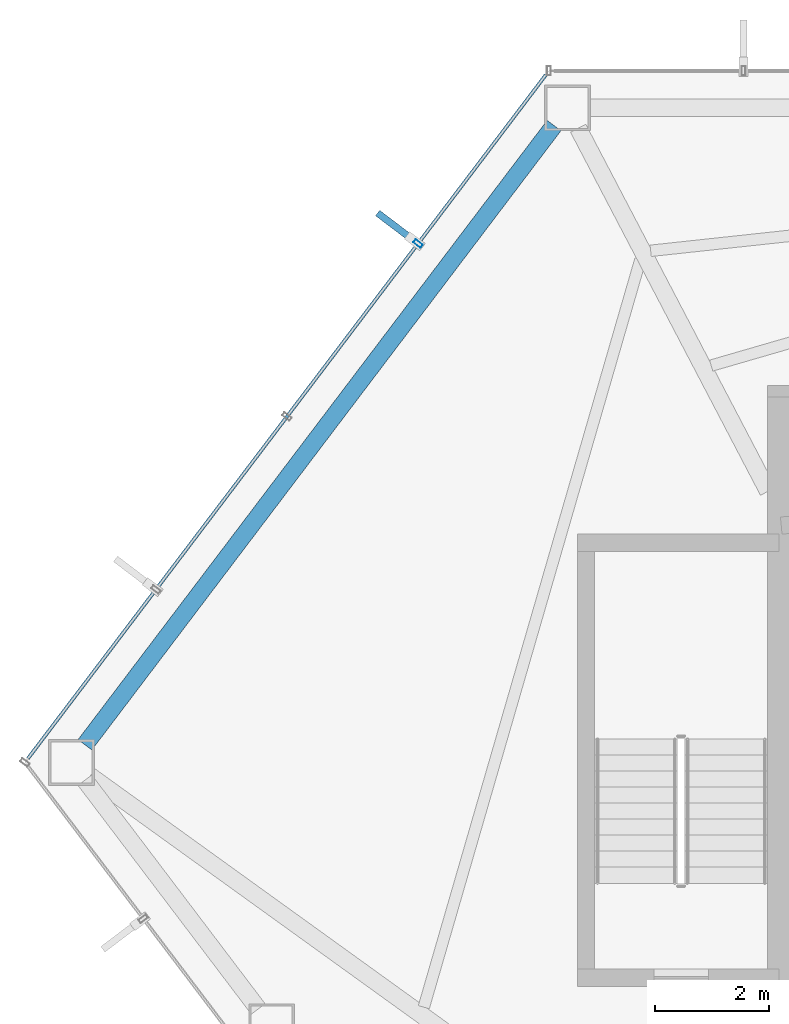
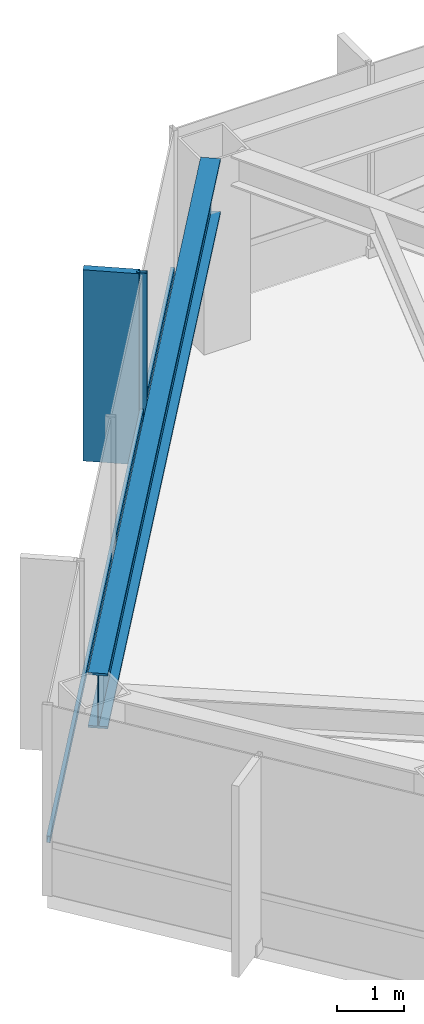
# One storey, part 12 of 29: 3 members, 1 beam, 1 element without a shape of its own.
"""IFC4 building model written with IfcOpenShell, lengths in metres."""

import ifcopenshell
import ifcopenshell.guid

model = None  # the IFC model being written
_history = None  # IfcOwnerHistory: only IFC2X3 demands one
_inside = {}  # id of a spatial element -> (the spatial element, [elements in it])
_under = {}  # id of a project, library or spatial element -> (it, [spatial elements below it])
_declared = {}  # id of a project -> (the project, [libraries it declares])
_typed = {}  # id of a type object -> (the type object, [elements of that type])
_made_of = {}  # id of a material, layer set ... -> (it, [elements and type objects made of it])


def new_model(schema):
    """Start an empty IFC model of exactly this schema.

    Asked for "IFC4X3", IfcOpenShell would pick the latest addendum, in which some entities
    have other attributes; the version numbers below select the first issue.
    IFC2X3 requires an IfcOwnerHistory on every rooted entity: one is made here for all.
    """
    global model, _history
    if schema == "IFC4X3":
        model = ifcopenshell.file(schema_version=(4, 3, 0, 0))
    else:
        model = ifcopenshell.file(schema=schema)
    _inside.clear()
    _under.clear()
    _declared.clear()
    _typed.clear()
    _made_of.clear()
    _history = None
    if model.schema == "IFC2X3":
        org = make("IfcOrganization", Name="unknown")
        user = make(
            "IfcPersonAndOrganization",
            ThePerson=make("IfcPerson", FamilyName="unknown"),
            TheOrganization=org,
        )
        app = make(
            "IfcApplication",
            ApplicationDeveloper=org,
            Version="unknown",
            ApplicationFullName="unknown",
            ApplicationIdentifier="unknown",
        )
        _history = make(
            "IfcOwnerHistory",
            OwningUser=user,
            OwningApplication=app,
            ChangeAction="ADDED",
            CreationDate=0,
        )
    return model


def make(cls, **values):
    """One entity of the class cls with the attributes given. An attribute that is None is left unset."""
    return model.create_entity(
        cls, **{name: value for name, value in values.items() if value is not None}
    )


def rooted(cls, **values):
    """An entity with a GlobalId (a new one), such as an element, a storey or a relation."""
    return make(cls, GlobalId=ifcopenshell.guid.new(), OwnerHistory=_history, **values)


def si_unit(unit_type, name, prefix=None):
    """IfcSIUnit, for example si_unit("LENGTHUNIT", "METRE", prefix="MILLI")."""
    return make("IfcSIUnit", UnitType=unit_type, Prefix=prefix, Name=name)


def assignment(units):
    """IfcUnitAssignment: the units of a project."""
    return None if units is None else make("IfcUnitAssignment", Units=units)


def point(xyz):
    """IfcCartesianPoint."""
    return None if xyz is None else make("IfcCartesianPoint", Coordinates=xyz)


def direction(xyz):
    """IfcDirection."""
    return None if xyz is None else make("IfcDirection", DirectionRatios=xyz)


def frame(location, z_axis=None, x_axis=None):
    """IfcAxis2Placement3D, a coordinate frame: its origin and axes. An axis left out is left unset."""
    return make(
        "IfcAxis2Placement3D",
        Location=point(location),
        Axis=direction(z_axis),
        RefDirection=direction(x_axis),
    )


def frame_2d(location, x_axis=None):
    """IfcAxis2Placement2D, a coordinate frame in the plane: its origin and x axis."""
    return make(
        "IfcAxis2Placement2D", Location=point(location), RefDirection=direction(x_axis)
    )


def origin():
    """The frame at (0, 0, 0) with its axes left unset."""
    return frame((0.0, 0.0, 0.0))


def origin_2d():
    """The frame at (0, 0) in the plane with its x axis left unset."""
    return frame_2d((0.0, 0.0))


def place(relative_to, where):
    """IfcLocalPlacement: puts the frame where relative to a parent placement (None: the world)."""
    return make(
        "IfcLocalPlacement", PlacementRelTo=relative_to, RelativePlacement=where
    )


def context(
    kind, dimensions, precision=None, world=None, true_north=None, identifier=None
):
    """IfcGeometricRepresentationContext, for example the 3D "Model" context."""
    return make(
        "IfcGeometricRepresentationContext",
        ContextIdentifier=identifier,
        ContextType=kind,
        CoordinateSpaceDimension=dimensions,
        Precision=precision,
        WorldCoordinateSystem=world,
        TrueNorth=true_north,
    )


def subcontext(parent, identifier, kind, view, scale=None):
    """IfcGeometricRepresentationSubContext, for example "Body" below "Model"."""
    return make(
        "IfcGeometricRepresentationSubContext",
        ContextIdentifier=identifier,
        ContextType=kind,
        ParentContext=parent,
        TargetScale=scale,
        TargetView=view,
    )


def project(units=None, contexts=None):
    """IfcProject with its units and contexts."""
    return rooted(
        "IfcProject",
        Name="project",
        RepresentationContexts=contexts,
        UnitsInContext=assignment(units),
    )


def spatial(cls, under=None, at=None, **own):
    """A site, building, storey or space (cls), placed at a placement, below another one or the project."""
    s = rooted(cls, ObjectPlacement=at, **own)
    if under is not None:
        _under.setdefault(under.id(), (under, []))[1].append(s)
    return s


def profile(cls, at=None, kind="AREA", **sizes):
    """A parametric profile (cls). Its sizes go by their IFC names, for example OverallWidth=200.0."""
    return make(cls, ProfileType=kind, Position=at, **sizes)


def rectangle(**sizes):
    """IfcRectangleProfileDef."""
    return profile("IfcRectangleProfileDef", **sizes)


def hollow_rectangle(**sizes):
    """IfcRectangleHollowProfileDef."""
    return profile("IfcRectangleHollowProfileDef", **sizes)


def i_section(**sizes):
    """IfcIShapeProfileDef."""
    return profile("IfcIShapeProfileDef", **sizes)


def extrude(swept, where, along, depth):
    """IfcExtrudedAreaSolid: the profile swept, set in the frame where, extruded along a direction by depth."""
    return make(
        "IfcExtrudedAreaSolid",
        SweptArea=swept,
        Position=where,
        ExtrudedDirection=direction(along),
        Depth=depth,
    )


def shape(context_of_items, identifier, shape_type, items):
    """IfcShapeRepresentation: the items that make up one representation, for example the "Body"."""
    return make(
        "IfcShapeRepresentation",
        ContextOfItems=context_of_items,
        RepresentationIdentifier=identifier,
        RepresentationType=shape_type,
        Items=items,
    )


def material(Name=None, Category=None):
    """IfcMaterial."""
    return make("IfcMaterial", Name=Name, Category=Category)


def layer(
    of_material, thickness, ventilated=None, Name=None, Category=None, Priority=None
):
    """IfcMaterialLayer: one layer of a wall or slab, of a material (None: an air gap)."""
    return make(
        "IfcMaterialLayer",
        Material=of_material,
        LayerThickness=thickness,
        IsVentilated=ventilated,
        Name=Name,
        Category=Category,
        Priority=Priority,
    )


def layer_set(layers, Name=None):
    """IfcMaterialLayerSet."""
    return make("IfcMaterialLayerSet", MaterialLayers=layers, LayerSetName=Name)


def material_profile(
    of_material, cross_section, Name=None, Category=None, Priority=None
):
    """IfcMaterialProfile: a cross section and its material."""
    return make(
        "IfcMaterialProfile",
        Name=Name,
        Material=of_material,
        Profile=cross_section,
        Priority=Priority,
        Category=Category,
    )


def profile_set(profiles, Name=None, composite=None):
    """IfcMaterialProfileSet."""
    return make(
        "IfcMaterialProfileSet",
        Name=Name,
        MaterialProfiles=profiles,
        CompositeProfile=composite,
    )


def made_of(thing, what):
    """Note that an element or type object is made of a material, layer set ...; save() writes the relation."""
    if what is not None:
        _made_of.setdefault(what.id(), (what, []))[1].append(thing)
    return thing


def type_object(cls, material=None, **own):
    """A type object (cls), such as IfcWallType, which elements share."""
    return made_of(rooted(cls, **own), material)


def element(
    cls,
    number,
    at=None,
    inside=None,
    cuts=None,
    type_object=None,
    material=None,
    context=None,
    identifier="Body",
    shape_type=None,
    held_by="IfcProductDefinitionShape",
    body=None,
    shapes=None,
    **own,
):
    """One element of the class cls, such as IfcWall. Its Tag is "e" and its number.

    at: its placement. inside: the storey or other place that contains it. cuts: it is an
    opening in that element (IfcRelVoidsElement). A single representation is given by context,
    identifier, shape_type and body (its items); several are given by shapes. held_by: the class
    of the entity that holds the representations. save() writes the other relations.
    """
    e = rooted(cls, Tag="e%d" % number, ObjectPlacement=at, **own)
    if body is not None:
        shapes = [shape(context, identifier, shape_type, body)]
    if shapes is not None:
        e.Representation = make(held_by, Representations=shapes)
    if inside is not None:
        _inside.setdefault(inside.id(), (inside, []))[1].append(e)
    if cuts is not None:
        rooted(
            "IfcRelVoidsElement", RelatingBuildingElement=cuts, RelatedOpeningElement=e
        )
    if type_object is not None:
        _typed.setdefault(type_object.id(), (type_object, []))[1].append(e)
    return made_of(e, material)


def aggregate(whole, parts):
    """IfcRelAggregates: a whole, such as a stair, and the parts it consists of."""
    return rooted("IfcRelAggregates", RelatingObject=whole, RelatedObjects=parts)


def save(model, path):
    """Write the relations noted so far, then the file.

    IfcRelAggregates (storeys below a building ...), IfcRelContainedInSpatialStructure (elements
    in a storey), IfcRelDefinesByType, IfcRelAssociatesMaterial and IfcRelDeclares: one each for
    every whole, place, type object, material and project.
    """
    for whole, parts in _under.values():
        aggregate(whole, parts)
    for where, things in _inside.values():
        rooted(
            "IfcRelContainedInSpatialStructure",
            RelatedElements=things,
            RelatingStructure=where,
        )
    for kind, things in _typed.values():
        rooted("IfcRelDefinesByType", RelatedObjects=things, RelatingType=kind)
    for what, things in _made_of.values():
        rooted("IfcRelAssociatesMaterial", RelatedObjects=things, RelatingMaterial=what)
    for by, libraries in _declared.values():
        rooted("IfcRelDeclares", RelatingContext=by, RelatedDefinitions=libraries)
    model.write(path)


model = new_model("IFC4")

# Units and contexts
model_context = context("Model", 3, precision=1e-05, world=origin(), true_north=direction((0.0, 1.0)))
body_context = subcontext(model_context, "Body", "Model", "MODEL_VIEW")
ifc_project = project(units=[si_unit("LENGTHUNIT", "METRE"), si_unit("AREAUNIT", "SQUARE_METRE"), si_unit("VOLUMEUNIT", "CUBIC_METRE"), si_unit("PLANEANGLEUNIT", "RADIAN"), si_unit("MASSUNIT", "GRAM", prefix="KILO")], contexts=[model_context])

# Site, building, storey
site_placement = place(None, origin())
site = spatial("IfcSite", under=ifc_project, at=site_placement, CompositionType="ELEMENT")
building_placement = place(site_placement, origin())
building = spatial("IfcBuilding", under=site, at=building_placement, Name="Zarrinselat Tower", CompositionType="ELEMENT")
storey_placement = place(building_placement, frame((0.0, 0.0, 134.639892578125)))
storey = spatial("IfcBuildingStorey", under=building, at=storey_placement, Name="L32", CompositionType="ELEMENT", Elevation=134.639892578125)

# Beam
ifc_material_1 = material(Name="Steel S460M", Category="steel")
ifc_material_profile_1 = material_profile(ifc_material_1, i_section(OverallWidth=0.302001953125, OverallDepth=1.008056640625, WebThickness=0.02099609375, FlangeThickness=0.0400390625, at=origin_2d()), Name="HEM 1000")
ifc_profile_set_1 = profile_set([ifc_material_profile_1], Name="Steel S460M")
beam_type = type_object("IfcBeamType", Name="BM-HEM1000", PredefinedType="BEAM", material=ifc_profile_set_1)
beam_placement = place(storey_placement, frame((16.472412109375, 37.36962890625, 2.99609375), z_axis=(0.603857341751, 0.79709241046, 0.0), x_axis=(-0.79709241046, 0.603857341751, 0.0)))
element("IfcBeam", 1, at=beam_placement, inside=storey, type_object=beam_type, Name="L32 Perimeter Spandrel Girder SP05", PredefinedType="BEAM", context=body_context, shape_type="SweptSolid", body=[
    extrude(i_section(OverallWidth=0.302001953125, OverallDepth=1.008056640625, WebThickness=0.02099609375, FlangeThickness=0.0400390625, at=origin_2d()), origin(), (0.0, 0.0, 1.0), 13.57568359375),
])

# Curtain wall, members
ifc_material_2 = material(Name="Extruded Aluminium Alloy EN AW-6063 T6", Category="aluminium")
ifc_layer = layer(ifc_material_2, 0.175048828125)
ifc_layer_set = layer_set([ifc_layer], Name="Extruded Aluminium Alloy EN AW-6063 T6")
curtain_wall_type = type_object("IfcCurtainWallType", Name="CWS-HTL", PredefinedType="NOTDEFINED", material=ifc_layer_set)
curtain_wall_placement = place(storey_placement, origin())
curtain_wall = element("IfcCurtainWall", 2, at=curtain_wall_placement, inside=storey, type_object=curtain_wall_type, Name="L32 Unitised Curtain Wall CW-L32-E02", PredefinedType="NOTDEFINED")
ifc_material_3 = material(Name="Extruded Aluminium Alloy EN AW-6063 T6", Category="aluminium")
ifc_material_profile_2 = material_profile(ifc_material_3, hollow_rectangle(XDim=0.070068359375, YDim=0.159912109375, WallThickness=0.00390625, at=origin_2d()), Name="RHS 160x70x4")
ifc_profile_set_2 = profile_set([ifc_material_profile_2], Name="Extruded Aluminium Alloy EN AW-6063 T6")
member_type_1 = type_object("IfcMemberType", Name="MEM-CW-MUL2", PredefinedType="MULLION", material=ifc_profile_set_2)
member_1_placement = place(storey_placement, frame((22.291748046875, 46.127685546875, 0.0), z_axis=(0.0, 0.0, 1.0), x_axis=(-0.603859211262, -0.797090994162, 0.0)))
member_1 = element("IfcMember", 3, at=member_1_placement, type_object=member_type_1, Name="CW-L32-E02 Mullion 1", PredefinedType="MULLION", context=body_context, shape_type="SweptSolid", body=[
    extrude(hollow_rectangle(XDim=0.070068359375, YDim=0.159912109375, WallThickness=0.00390625, at=origin_2d()), origin(), (0.0, 0.0, 1.0), 3.5),
])
ifc_material_4 = material(Name="Extruded Aluminium Alloy EN AW-6063 T6", Category="aluminium")
ifc_material_profile_3 = material_profile(ifc_material_4, hollow_rectangle(XDim=0.06005859375, YDim=0.1201171875, WallThickness=0.00390625, at=origin_2d()), Name="RHS 120x60x4")
ifc_profile_set_3 = profile_set([ifc_material_profile_3], Name="Extruded Aluminium Alloy EN AW-6063 T6")
member_type_2 = type_object("IfcMemberType", Name="MEM-CW-TRN2", PredefinedType="USERDEFINED", material=ifc_profile_set_3)
member_2_placement = place(storey_placement, frame((24.527099609375, 49.078369140625, 0.9501953125), z_axis=(-0.603860824289, -0.797089772164, 0.0), x_axis=(0.797089772164, -0.603860824289, 0.0)))
member_2 = element("IfcMember", 4, at=member_2_placement, type_object=member_type_2, Name="CW-L32-E02 Transom 1", ObjectType="TRANSOM", PredefinedType="USERDEFINED", context=body_context, shape_type="SweptSolid", body=[
    extrude(hollow_rectangle(XDim=0.06005859375, YDim=0.1201171875, WallThickness=0.00390625, at=origin_2d()), origin(), (0.0, 0.0, 1.0), 14.9873046875),
])
ifc_material_5 = material(Name="Honed Cream Travertine Stone", Category="masonry")
ifc_material_profile_4 = material_profile(ifc_material_5, rectangle(XDim=0.1201171875, YDim=0.85009765625, at=origin_2d()), Name="FIN 850x120")
ifc_profile_set_4 = profile_set([ifc_material_profile_4], Name="Honed Cream Travertine Stone")
member_type_3 = type_object("IfcMemberType", Name="MEM-STONE-FIN", PredefinedType="USERDEFINED", material=ifc_profile_set_4)
member_3_placement = place(storey_placement, frame((21.925048828125, 46.405517578125, 0.0), z_axis=(0.0, 0.0, 1.0), x_axis=(0.603859211262, 0.797090994162, 0.0)))
member_3 = element("IfcMember", 5, at=member_3_placement, type_object=member_type_3, Name="L32 Stone Shading Fin CW-L32-E02-01", ObjectType="FIN", PredefinedType="USERDEFINED", context=body_context, shape_type="SweptSolid", body=[
    extrude(rectangle(XDim=0.1201171875, YDim=0.85009765625, at=origin_2d()), origin(), (0.0, 0.0, 1.0), 3.5),
])
aggregate(curtain_wall, [member_1, member_3, member_2])

save(model, "model.ifc")
